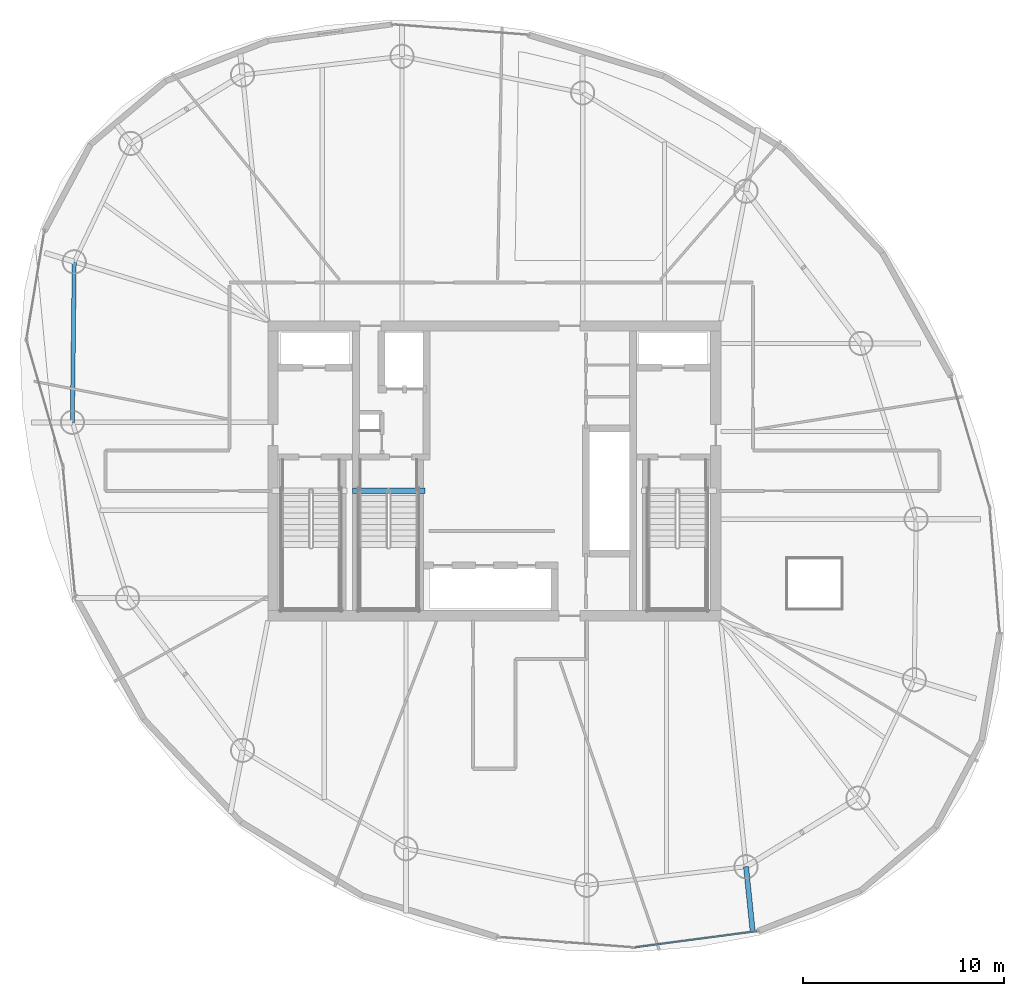
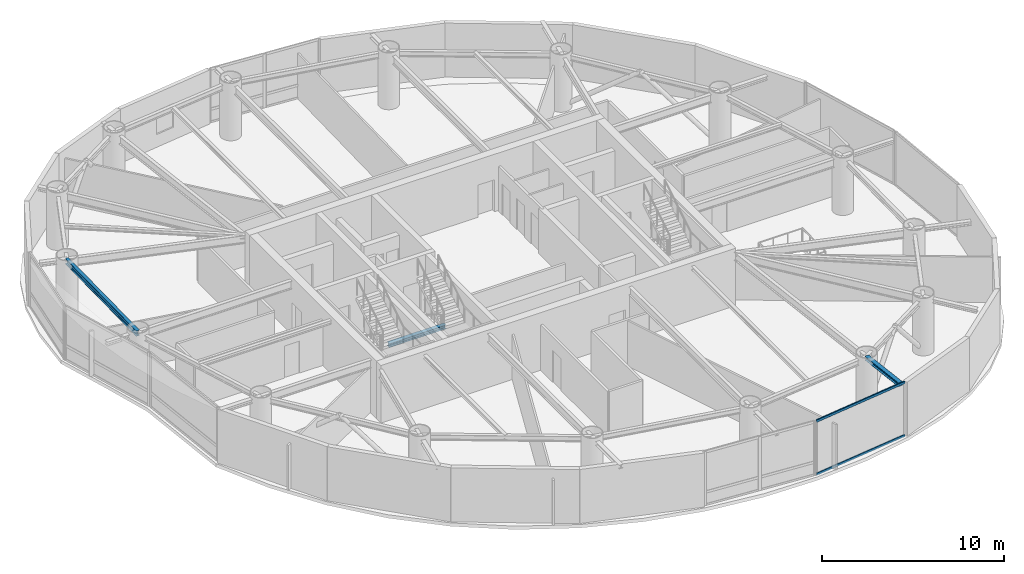
# One storey, part 5 of 21: 3 beams, 2 members, 1 element without a shape of its own.
"""IFC4 building model written with IfcOpenShell, lengths in metres."""

from ifc_helpers import new_model, si_unit, direction, frame, origin, origin_2d, place, context, subcontext, project, spatial, hollow_rectangle, i_section, extrude, material, layer, layer_set, material_profile, profile_set, type_object, element, aggregate, save


model = new_model("IFC4")

# Units and contexts
model_context = context("Model", 3, precision=1e-05, world=origin(), true_north=direction((0.0, 1.0)))
body_context = subcontext(model_context, "Body", "Model", "MODEL_VIEW")
ifc_project = project(units=[si_unit("LENGTHUNIT", "METRE"), si_unit("AREAUNIT", "SQUARE_METRE"), si_unit("VOLUMEUNIT", "CUBIC_METRE"), si_unit("PLANEANGLEUNIT", "RADIAN"), si_unit("MASSUNIT", "GRAM", prefix="KILO")], contexts=[model_context])

# Site, building, storey
site_placement = place(None, origin())
site = spatial("IfcSite", under=ifc_project, at=site_placement, CompositionType="ELEMENT")
building_placement = place(site_placement, origin())
building = spatial("IfcBuilding", under=site, at=building_placement, Name="Bramvorn Convention Spire", CompositionType="ELEMENT")
storey_placement = place(building_placement, frame((0.0, 0.0, 186.60009765625)))
storey = spatial("IfcBuildingStorey", under=building, at=storey_placement, Name="L47", CompositionType="ELEMENT", Elevation=186.60009765625)

# Beams
ifc_material_1 = material(Name="Steel CSA G40.21 Grade 350 (350W)", Category="steel")
ifc_material_profile_1 = material_profile(ifc_material_1, i_section(OverallWidth=0.25390625, OverallDepth=0.2529296875, WebThickness=0.008544921875, FlangeThickness=0.01416015625, FilletRadius=0.011962890625, at=origin_2d()))
ifc_profile_set_1 = profile_set([ifc_material_profile_1], Name="Steel CSA G40.21 Grade 350 (350W) - W250X73")
beam_type_1 = type_object("IfcBeamType", Name="BM-W250X73", PredefinedType="BEAM", material=ifc_profile_set_1)
beam_1_placement = place(storey_placement, frame((50.50439453125, 6.336181640625, 3.493408203125), z_axis=(0.10223018875, -0.994760769486, 0.0), x_axis=(0.994760769486, 0.10223018875, 0.0)))
element("IfcBeam", 1, at=beam_1_placement, inside=storey, type_object=beam_type_1, Name="L47 slab-edge cantilever tip beam MC16", PredefinedType="BEAM", context=body_context, shape_type="SweptSolid", body=[
    extrude(i_section(OverallWidth=0.25390625, OverallDepth=0.2529296875, WebThickness=0.008544921875, FlangeThickness=0.01416015625, FilletRadius=0.011962890625, at=origin_2d()), origin(), (0.0, 0.0, 1.0), 3.2001953125),
])
beam_2_placement = place(storey_placement, frame((30.949951171875, 25.010009765625, -0.126708984375), z_axis=(1.0, 0.0, 0.0), x_axis=(0.0, 1.0, 0.0)))
element("IfcBeam", 2, at=beam_2_placement, inside=storey, type_object=beam_type_1, Name="L47 ST3 stair arrival header beam", PredefinedType="BEAM", context=body_context, shape_type="SweptSolid", body=[
    extrude(i_section(OverallWidth=0.25390625, OverallDepth=0.2529296875, WebThickness=0.008544921875, FlangeThickness=0.01416015625, FilletRadius=0.011962890625, at=origin_2d()), origin(), (0.0, 0.0, 1.0), 3.610107421875),
])
ifc_material_profile_2 = material_profile(ifc_material_1, i_section(OverallWidth=0.205078125, OverallDepth=0.35400390625, WebThickness=0.009521484375, FlangeThickness=0.016845703125, FilletRadius=0.014892578125, at=origin_2d()))
ifc_profile_set_2 = profile_set([ifc_material_profile_2], Name="Steel CSA G40.21 Grade 350 (350W) - W360X79")
beam_type_2 = type_object("IfcBeamType", Name="BM-W360X79", PredefinedType="JOIST", material=ifc_profile_set_2)
beam_3_placement = place(storey_placement, frame((17.136962890625, 36.380615234375, 3.44287109375), z_axis=(-0.011480475367, -0.999934097171, 0.0), x_axis=(0.999934097171, -0.011480475367, 0.0)))
element("IfcBeam", 3, at=beam_3_placement, inside=storey, type_object=beam_type_2, Name="L47 mega-column ring beam 10", PredefinedType="JOIST", context=body_context, shape_type="SweptSolid", body=[
    extrude(i_section(OverallWidth=0.205078125, OverallDepth=0.35400390625, WebThickness=0.009521484375, FlangeThickness=0.016845703125, FilletRadius=0.014892578125, at=origin_2d()), origin(), (0.0, 0.0, 1.0), 7.974609375),
])

# Curtain wall, members
ifc_material_2 = material(Name="Anodised Bronze Unitised Curtain Wall", Category="aluminium")
ifc_layer = layer(ifc_material_2, 0.179931640625)
ifc_layer_set = layer_set([ifc_layer], Name="Anodised Bronze Unitised Curtain Wall - CW-OFF-FRIT")
curtain_wall_type = type_object("IfcCurtainWallType", Name="CW-OFF-FRIT", PredefinedType="USERDEFINED", material=ifc_layer_set)
curtain_wall_placement = place(storey_placement, origin())
curtain_wall = element("IfcCurtainWall", 4, at=curtain_wall_placement, inside=storey, type_object=curtain_wall_type, Name="L47 fritted glass curtain wall 22", ObjectType="UNITISED CURTAIN WALL", PredefinedType="USERDEFINED")
ifc_material_3 = material(Name="Anodised Bronze Aluminium 6063-T6", Category="aluminium")
ifc_material_profile_3 = material_profile(ifc_material_3, hollow_rectangle(XDim=0.080078125, YDim=0.159912109375, WallThickness=0.00390625, InnerFilletRadius=0.0009765625, OuterFilletRadius=0.00390625, at=origin_2d()))
ifc_profile_set_3 = profile_set([ifc_material_profile_3], Name="Anodised Bronze Aluminium 6063-T6 - CWT80X160")
member_type = type_object("IfcMemberType", Name="CW-TRN-150", PredefinedType="USERDEFINED", material=ifc_profile_set_3)
member_1_placement = place(storey_placement, frame((51.046142578125, 3.128173828125, 0.02978515625), z_axis=(-0.991379832934, -0.131019185051, 0.0), x_axis=(0.131019185051, -0.991379832934, 0.0)))
member_1 = element("IfcMember", 5, at=member_1_placement, type_object=member_type, Name="CW3 transom 1.1", ObjectType="TRANSOM", PredefinedType="USERDEFINED", context=body_context, shape_type="SweptSolid", body=[
    extrude(hollow_rectangle(XDim=0.080078125, YDim=0.159912109375, WallThickness=0.00390625, InnerFilletRadius=0.0009765625, OuterFilletRadius=0.00390625, at=origin_2d()), origin(), (0.0, 0.0, 1.0), 6.1064453125),
])
member_2_placement = place(storey_placement, frame((51.046142578125, 3.128173828125, 3.58984375), z_axis=(-0.991379832934, -0.131019185051, 0.0), x_axis=(0.131019185051, -0.991379832934, 0.0)))
member_2 = element("IfcMember", 6, at=member_2_placement, type_object=member_type, Name="CW3 transom 1.2", ObjectType="TRANSOM", PredefinedType="USERDEFINED", context=body_context, shape_type="SweptSolid", body=[
    extrude(hollow_rectangle(XDim=0.080078125, YDim=0.159912109375, WallThickness=0.00390625, InnerFilletRadius=0.0009765625, OuterFilletRadius=0.00390625, at=origin_2d()), origin(), (0.0, 0.0, 1.0), 6.1064453125),
])
aggregate(curtain_wall, [member_1, member_2])

save(model, "model.ifc")
